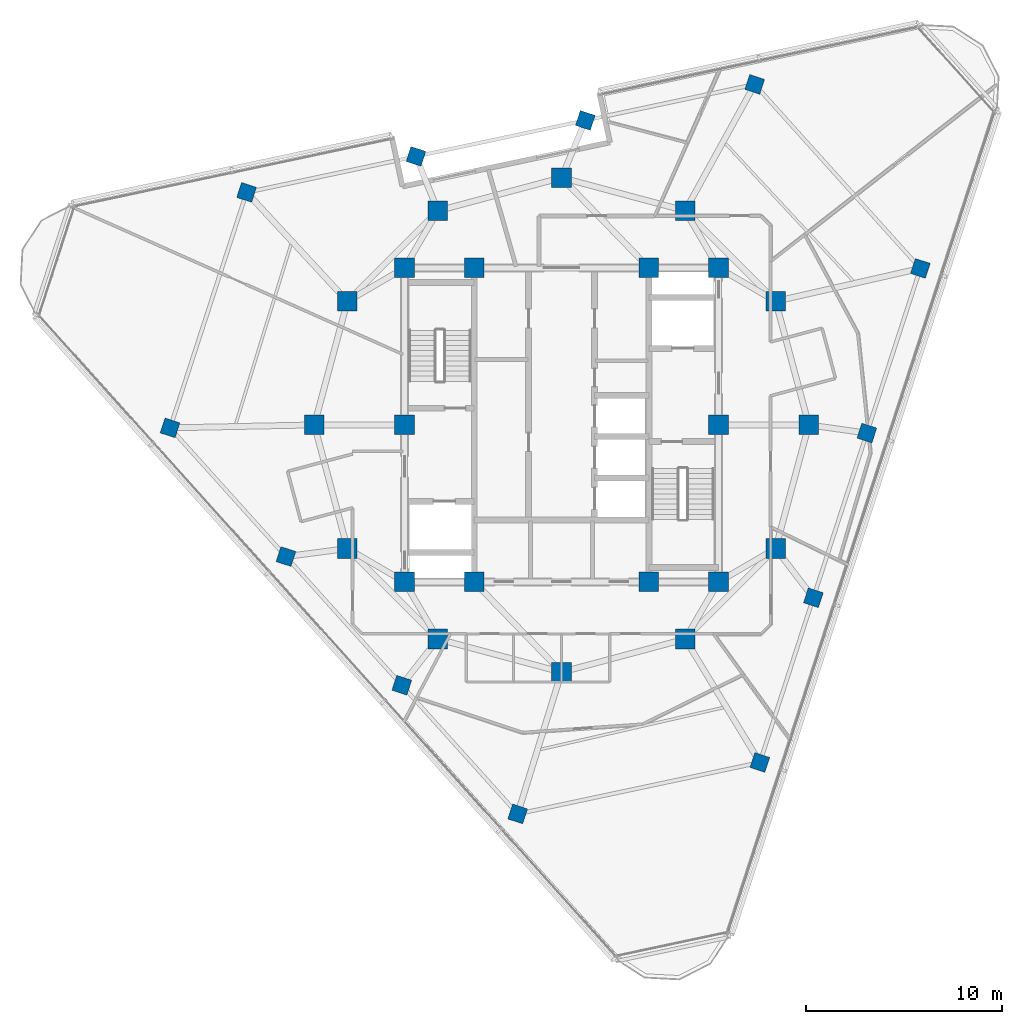
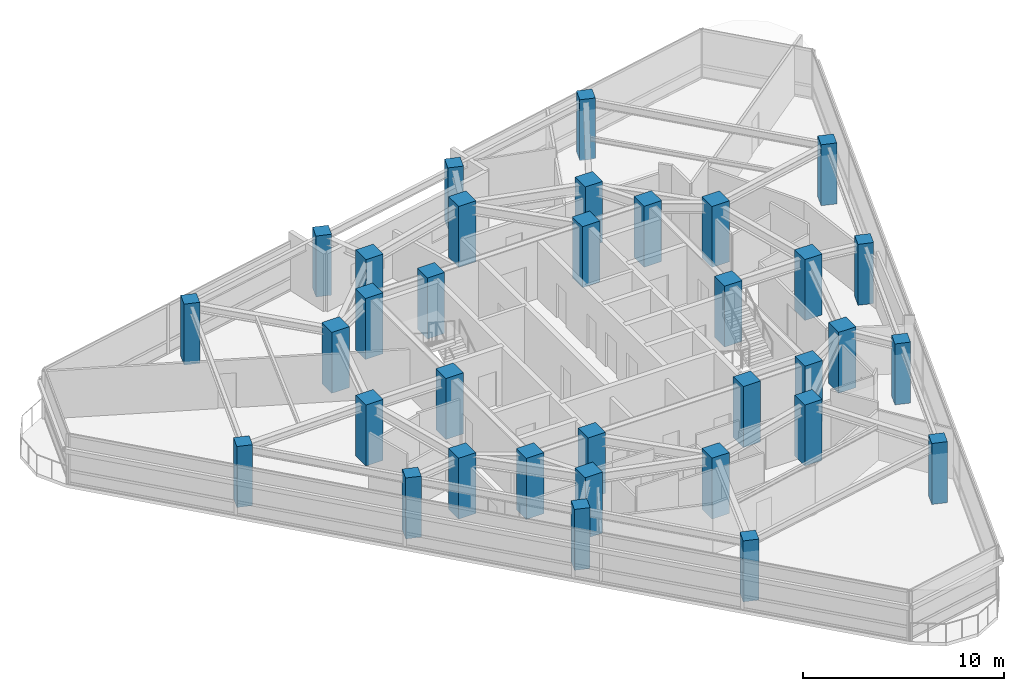
# One storey, part 1 of 15: 34 columns.
"""IFC4 building model written with IfcOpenShell, lengths in metres."""

import ifcopenshell
import ifcopenshell.guid

model = None  # the IFC model being written
_history = None  # IfcOwnerHistory: only IFC2X3 demands one
_inside = {}  # id of a spatial element -> (the spatial element, [elements in it])
_under = {}  # id of a project, library or spatial element -> (it, [spatial elements below it])
_declared = {}  # id of a project -> (the project, [libraries it declares])
_typed = {}  # id of a type object -> (the type object, [elements of that type])
_made_of = {}  # id of a material, layer set ... -> (it, [elements and type objects made of it])


def new_model(schema):
    """Start an empty IFC model of exactly this schema.

    Asked for "IFC4X3", IfcOpenShell would pick the latest addendum, in which some entities
    have other attributes; the version numbers below select the first issue.
    IFC2X3 requires an IfcOwnerHistory on every rooted entity: one is made here for all.
    """
    global model, _history
    if schema == "IFC4X3":
        model = ifcopenshell.file(schema_version=(4, 3, 0, 0))
    else:
        model = ifcopenshell.file(schema=schema)
    _inside.clear()
    _under.clear()
    _declared.clear()
    _typed.clear()
    _made_of.clear()
    _history = None
    if model.schema == "IFC2X3":
        org = make("IfcOrganization", Name="unknown")
        user = make(
            "IfcPersonAndOrganization",
            ThePerson=make("IfcPerson", FamilyName="unknown"),
            TheOrganization=org,
        )
        app = make(
            "IfcApplication",
            ApplicationDeveloper=org,
            Version="unknown",
            ApplicationFullName="unknown",
            ApplicationIdentifier="unknown",
        )
        _history = make(
            "IfcOwnerHistory",
            OwningUser=user,
            OwningApplication=app,
            ChangeAction="ADDED",
            CreationDate=0,
        )
    return model


def make(cls, **values):
    """One entity of the class cls with the attributes given. An attribute that is None is left unset."""
    return model.create_entity(
        cls, **{name: value for name, value in values.items() if value is not None}
    )


def rooted(cls, **values):
    """An entity with a GlobalId (a new one), such as an element, a storey or a relation."""
    return make(cls, GlobalId=ifcopenshell.guid.new(), OwnerHistory=_history, **values)


def si_unit(unit_type, name, prefix=None):
    """IfcSIUnit, for example si_unit("LENGTHUNIT", "METRE", prefix="MILLI")."""
    return make("IfcSIUnit", UnitType=unit_type, Prefix=prefix, Name=name)


def assignment(units):
    """IfcUnitAssignment: the units of a project."""
    return None if units is None else make("IfcUnitAssignment", Units=units)


def point(xyz):
    """IfcCartesianPoint."""
    return None if xyz is None else make("IfcCartesianPoint", Coordinates=xyz)


def direction(xyz):
    """IfcDirection."""
    return None if xyz is None else make("IfcDirection", DirectionRatios=xyz)


def frame(location, z_axis=None, x_axis=None):
    """IfcAxis2Placement3D, a coordinate frame: its origin and axes. An axis left out is left unset."""
    return make(
        "IfcAxis2Placement3D",
        Location=point(location),
        Axis=direction(z_axis),
        RefDirection=direction(x_axis),
    )


def frame_2d(location, x_axis=None):
    """IfcAxis2Placement2D, a coordinate frame in the plane: its origin and x axis."""
    return make(
        "IfcAxis2Placement2D", Location=point(location), RefDirection=direction(x_axis)
    )


def origin():
    """The frame at (0, 0, 0) with its axes left unset."""
    return frame((0.0, 0.0, 0.0))


def origin_2d():
    """The frame at (0, 0) in the plane with its x axis left unset."""
    return frame_2d((0.0, 0.0))


def place(relative_to, where):
    """IfcLocalPlacement: puts the frame where relative to a parent placement (None: the world)."""
    return make(
        "IfcLocalPlacement", PlacementRelTo=relative_to, RelativePlacement=where
    )


def context(
    kind, dimensions, precision=None, world=None, true_north=None, identifier=None
):
    """IfcGeometricRepresentationContext, for example the 3D "Model" context."""
    return make(
        "IfcGeometricRepresentationContext",
        ContextIdentifier=identifier,
        ContextType=kind,
        CoordinateSpaceDimension=dimensions,
        Precision=precision,
        WorldCoordinateSystem=world,
        TrueNorth=true_north,
    )


def subcontext(parent, identifier, kind, view, scale=None):
    """IfcGeometricRepresentationSubContext, for example "Body" below "Model"."""
    return make(
        "IfcGeometricRepresentationSubContext",
        ContextIdentifier=identifier,
        ContextType=kind,
        ParentContext=parent,
        TargetScale=scale,
        TargetView=view,
    )


def project(units=None, contexts=None):
    """IfcProject with its units and contexts."""
    return rooted(
        "IfcProject",
        Name="project",
        RepresentationContexts=contexts,
        UnitsInContext=assignment(units),
    )


def spatial(cls, under=None, at=None, **own):
    """A site, building, storey or space (cls), placed at a placement, below another one or the project."""
    s = rooted(cls, ObjectPlacement=at, **own)
    if under is not None:
        _under.setdefault(under.id(), (under, []))[1].append(s)
    return s


def profile(cls, at=None, kind="AREA", **sizes):
    """A parametric profile (cls). Its sizes go by their IFC names, for example OverallWidth=200.0."""
    return make(cls, ProfileType=kind, Position=at, **sizes)


def rectangle(**sizes):
    """IfcRectangleProfileDef."""
    return profile("IfcRectangleProfileDef", **sizes)


def extrude(swept, where, along, depth):
    """IfcExtrudedAreaSolid: the profile swept, set in the frame where, extruded along a direction by depth."""
    return make(
        "IfcExtrudedAreaSolid",
        SweptArea=swept,
        Position=where,
        ExtrudedDirection=direction(along),
        Depth=depth,
    )


def shape(context_of_items, identifier, shape_type, items):
    """IfcShapeRepresentation: the items that make up one representation, for example the "Body"."""
    return make(
        "IfcShapeRepresentation",
        ContextOfItems=context_of_items,
        RepresentationIdentifier=identifier,
        RepresentationType=shape_type,
        Items=items,
    )


def material(Name=None, Category=None):
    """IfcMaterial."""
    return make("IfcMaterial", Name=Name, Category=Category)


def material_profile(
    of_material, cross_section, Name=None, Category=None, Priority=None
):
    """IfcMaterialProfile: a cross section and its material."""
    return make(
        "IfcMaterialProfile",
        Name=Name,
        Material=of_material,
        Profile=cross_section,
        Priority=Priority,
        Category=Category,
    )


def profile_set(profiles, Name=None, composite=None):
    """IfcMaterialProfileSet."""
    return make(
        "IfcMaterialProfileSet",
        Name=Name,
        MaterialProfiles=profiles,
        CompositeProfile=composite,
    )


def made_of(thing, what):
    """Note that an element or type object is made of a material, layer set ...; save() writes the relation."""
    if what is not None:
        _made_of.setdefault(what.id(), (what, []))[1].append(thing)
    return thing


def type_object(cls, material=None, **own):
    """A type object (cls), such as IfcWallType, which elements share."""
    return made_of(rooted(cls, **own), material)


def element(
    cls,
    number,
    at=None,
    inside=None,
    cuts=None,
    type_object=None,
    material=None,
    context=None,
    identifier="Body",
    shape_type=None,
    held_by="IfcProductDefinitionShape",
    body=None,
    shapes=None,
    **own,
):
    """One element of the class cls, such as IfcWall. Its Tag is "e" and its number.

    at: its placement. inside: the storey or other place that contains it. cuts: it is an
    opening in that element (IfcRelVoidsElement). A single representation is given by context,
    identifier, shape_type and body (its items); several are given by shapes. held_by: the class
    of the entity that holds the representations. save() writes the other relations.
    """
    e = rooted(cls, Tag="e%d" % number, ObjectPlacement=at, **own)
    if body is not None:
        shapes = [shape(context, identifier, shape_type, body)]
    if shapes is not None:
        e.Representation = make(held_by, Representations=shapes)
    if inside is not None:
        _inside.setdefault(inside.id(), (inside, []))[1].append(e)
    if cuts is not None:
        rooted(
            "IfcRelVoidsElement", RelatingBuildingElement=cuts, RelatedOpeningElement=e
        )
    if type_object is not None:
        _typed.setdefault(type_object.id(), (type_object, []))[1].append(e)
    return made_of(e, material)


def aggregate(whole, parts):
    """IfcRelAggregates: a whole, such as a stair, and the parts it consists of."""
    return rooted("IfcRelAggregates", RelatingObject=whole, RelatedObjects=parts)


def save(model, path):
    """Write the relations noted so far, then the file.

    IfcRelAggregates (storeys below a building ...), IfcRelContainedInSpatialStructure (elements
    in a storey), IfcRelDefinesByType, IfcRelAssociatesMaterial and IfcRelDeclares: one each for
    every whole, place, type object, material and project.
    """
    for whole, parts in _under.values():
        aggregate(whole, parts)
    for where, things in _inside.values():
        rooted(
            "IfcRelContainedInSpatialStructure",
            RelatedElements=things,
            RelatingStructure=where,
        )
    for kind, things in _typed.values():
        rooted("IfcRelDefinesByType", RelatedObjects=things, RelatingType=kind)
    for what, things in _made_of.values():
        rooted("IfcRelAssociatesMaterial", RelatedObjects=things, RelatingMaterial=what)
    for by, libraries in _declared.values():
        rooted("IfcRelDeclares", RelatingContext=by, RelatedDefinitions=libraries)
    model.write(path)


model = new_model("IFC4")

# Units and contexts
model_context = context("Model", 3, precision=1e-05, world=origin(), true_north=direction((0.0, 1.0)))
body_context = subcontext(model_context, "Body", "Model", "MODEL_VIEW")
ifc_project = project(units=[si_unit("LENGTHUNIT", "METRE"), si_unit("AREAUNIT", "SQUARE_METRE"), si_unit("VOLUMEUNIT", "CUBIC_METRE"), si_unit("PLANEANGLEUNIT", "RADIAN"), si_unit("MASSUNIT", "GRAM", prefix="KILO")], contexts=[model_context])

# Site, building, storey
site_placement = place(None, origin())
site = spatial("IfcSite", under=ifc_project, at=site_placement, CompositionType="ELEMENT")
building_placement = place(site_placement, origin())
building = spatial("IfcBuilding", under=site, at=building_placement, Name="Terralouvre Media Tower", CompositionType="ELEMENT")
storey_placement = place(building_placement, frame((0.0, 0.0, 301.699951171875)))
storey = spatial("IfcBuildingStorey", under=building, at=storey_placement, Name="L78", CompositionType="ELEMENT", Elevation=301.699951171875)

# Columns
ifc_material_1 = material(Name="Concrete C50/60", Category="concrete")
ifc_material_profile_1 = material_profile(ifc_material_1, rectangle(XDim=1.0, YDim=1.0, at=origin_2d()), Name="RC 1000x1000")
ifc_profile_set_1 = profile_set([ifc_material_profile_1], Name="Concrete C50/60")
column_type_1 = type_object("IfcColumnType", Name="Structural Column C-RC1000 (RC 1000x1000)", PredefinedType="COLUMN", material=ifc_profile_set_1)
for number, where, z_axis, x_axis, name in (
    (1, (-8.0, -8.0, 0.0), (0.0, 0.0, 1.0), (1.0, 0.0, 0.0), "L78 Core Pilaster Column CP1"),
    (2, (-4.449951171875, -8.0, 0.0), (0.0, 0.0, 1.0), (1.0, 0.0, 0.0), "L78 Core Pilaster Column CP2"),
    (3, (4.449951171875, -8.0, 0.0), (0.0, 0.0, 1.0), (1.0, 0.0, 0.0), "L78 Core Pilaster Column CP10"),
    (4, (8.0, -8.0, 0.0), (0.0, 0.0, 1.0), (1.0, 0.0, 0.0), "L78 Core Pilaster Column CP3"),
    (5, (8.0, 0.0, 0.0), (0.0, 0.0, 1.0), (1.0, 0.0, 0.0), "L78 Core Pilaster Column CP4"),
    (6, (8.0, 8.0, 0.0), (0.0, 0.0, 1.0), (1.0, 0.0, 0.0), "L78 Core Pilaster Column CP5"),
    (7, (4.449951171875, 8.0, 0.0), (0.0, 0.0, 1.0), (1.0, 0.0, 0.0), "L78 Core Pilaster Column CP9"),
    (8, (-4.449951171875, 8.0, 0.0), (0.0, 0.0, 1.0), (1.0, 0.0, 0.0), "L78 Core Pilaster Column CP6"),
    (9, (-8.0, 8.0, 0.0), (0.0, 0.0, 1.0), (1.0, 0.0, 0.0), "L78 Core Pilaster Column CP7"),
    (10, (-8.0, 0.0, 0.0), (0.0, 0.0, 1.0), (1.0, 0.0, 0.0), "L78 Core Pilaster Column CP8"),
    (11, (12.60009765625, 0.0, 0.0), (0.0, 0.0, 1.0), (1.0, 0.0, 0.0), "L78 Mega-Frame Column MC01"),
    (12, (10.911865234375, 6.300048828125, 0.0), (0.0, 0.0, 1.0), (1.0, 0.0, 0.0), "L78 Mega-Frame Column MC02"),
    (13, (6.300048828125, 10.911865234375, 0.0), (0.0, 0.0, 1.0), (1.0, 0.0, 0.0), "L78 Mega-Frame Column MC03"),
    (14, (0.0, 12.60009765625, 0.0), (0.0, 0.0, 1.0), (1.0, 0.0, 0.0), "L78 Mega-Frame Column MC04"),
    (15, (-6.300048828125, 10.911865234375, 0.0), (0.0, 0.0, 1.0), (1.0, 0.0, 0.0), "L78 Mega-Frame Column MC05"),
    (16, (-10.911865234375, 6.300048828125, 0.0), (0.0, 0.0, 1.0), (1.0, 0.0, 0.0), "L78 Mega-Frame Column MC06"),
    (17, (-12.60009765625, 0.0, 0.0), (0.0, 0.0, 1.0), (1.0, 0.0, 0.0), "L78 Mega-Frame Column MC07"),
    (18, (-10.911865234375, -6.300048828125, 0.0), (0.0, 0.0, 1.0), (1.0, 0.0, 0.0), "L78 Mega-Frame Column MC08"),
    (19, (-6.300048828125, -10.911865234375, 0.0), (0.0, 0.0, 1.0), (1.0, 0.0, 0.0), "L78 Mega-Frame Column MC09"),
    (20, (0.0, -12.60009765625, 0.0), (0.0, 0.0, 1.0), (1.0, 0.0, 0.0), "L78 Mega-Frame Column MC10"),
    (21, (6.300048828125, -10.911865234375, 0.0), (0.0, 0.0, 1.0), (1.0, 0.0, 0.0), "L78 Mega-Frame Column MC11"),
    (22, (10.911865234375, -6.300048828125, 0.0), (0.0, 0.0, 1.0), (1.0, 0.0, 0.0), "L78 Mega-Frame Column MC12"),
):
    element("IfcColumn", number, at=place(storey_placement, frame(where, z_axis=z_axis, x_axis=x_axis)), inside=storey, type_object=column_type_1, Name=name, PredefinedType="COLUMN", context=body_context, shape_type="SweptSolid", body=[
        extrude(rectangle(XDim=1.0, YDim=1.0, at=origin_2d()), origin(), (0.0, 0.0, 1.0), 3.699951171875),
    ])
ifc_material_2 = material(Name="Concrete C50/60", Category="concrete")
ifc_material_profile_2 = material_profile(ifc_material_2, rectangle(XDim=0.800048828125, YDim=0.800048828125, at=origin_2d()), Name="RC 800x800")
ifc_profile_set_2 = profile_set([ifc_material_profile_2], Name="Concrete C50/60")
column_type_2 = type_object("IfcColumnType", Name="Structural Column C-RC800 (RC 800x800)", PredefinedType="COLUMN", material=ifc_profile_set_2)
for number, where, z_axis, x_axis, name in (
    (23, (10.105712890625, -17.20068359375, 0.0), (0.0, 0.0, 1.0), (0.309016994375, 0.951056516295, 0.0), "L78 Perimeter Mega-Column PC11"),
    (24, (12.83251953125, -8.80859375, 0.0), (0.0, 0.0, 1.0), (0.309016994375, 0.951056516295, 0.0), "L78 Perimeter Mega-Column PC12"),
    (25, (15.55908203125, -0.41650390625, 0.0), (0.0, 0.0, 1.0), (0.309016994375, 0.951056516295, 0.0), "L78 Perimeter Mega-Column PC13"),
    (26, (18.285888671875, 7.9755859375, 0.0), (0.0, 0.0, 1.0), (0.309016994375, 0.951056516295, 0.0), "L78 Perimeter Mega-Column PC14"),
    (27, (9.843505859375, 17.35205078125, 0.0), (0.0, 0.0, 1.0), (0.309016994375, 0.951056516295, 0.0), "L78 Perimeter Mega-Column PC21"),
    (28, (1.212158203125, 15.517578125, 0.0), (0.0, 0.0, 1.0), (0.309016994375, 0.951056516295, 0.0), "L78 Perimeter Mega-Column PC22"),
    (29, (-7.4189453125, 13.682861328125, 0.0), (0.0, 0.0, 1.0), (0.309016994375, 0.951056516295, 0.0), "L78 Perimeter Mega-Column PC23"),
    (30, (-16.050048828125, 11.84814453125, 0.0), (0.0, 0.0, 1.0), (0.309016994375, 0.951056516295, 0.0), "L78 Perimeter Mega-Column PC24"),
    (31, (-19.948974609375, -0.1513671875, 0.0), (0.0, 0.0, 1.0), (0.309016994375, 0.951056516295, 0.0), "L78 Perimeter Mega-Column PC31"),
    (32, (-14.044677734375, -6.708984375, 0.0), (0.0, 0.0, 1.0), (0.309016994375, 0.951056516295, 0.0), "L78 Perimeter Mega-Column PC32"),
    (33, (-8.14013671875, -13.266357421875, 0.0), (0.0, 0.0, 1.0), (0.309016994375, 0.951056516295, 0.0), "L78 Perimeter Mega-Column PC33"),
    (34, (-2.23583984375, -19.823974609375, 0.0), (0.0, 0.0, 1.0), (0.309016994375, 0.951056516295, 0.0), "L78 Perimeter Mega-Column PC34"),
):
    element("IfcColumn", number, at=place(storey_placement, frame(where, z_axis=z_axis, x_axis=x_axis)), inside=storey, type_object=column_type_2, Name=name, PredefinedType="COLUMN", context=body_context, shape_type="SweptSolid", body=[
        extrude(rectangle(XDim=0.800048828125, YDim=0.800048828125, at=origin_2d()), origin(), (0.0, 0.0, 1.0), 3.699951171875),
    ])

save(model, "model.ifc")
